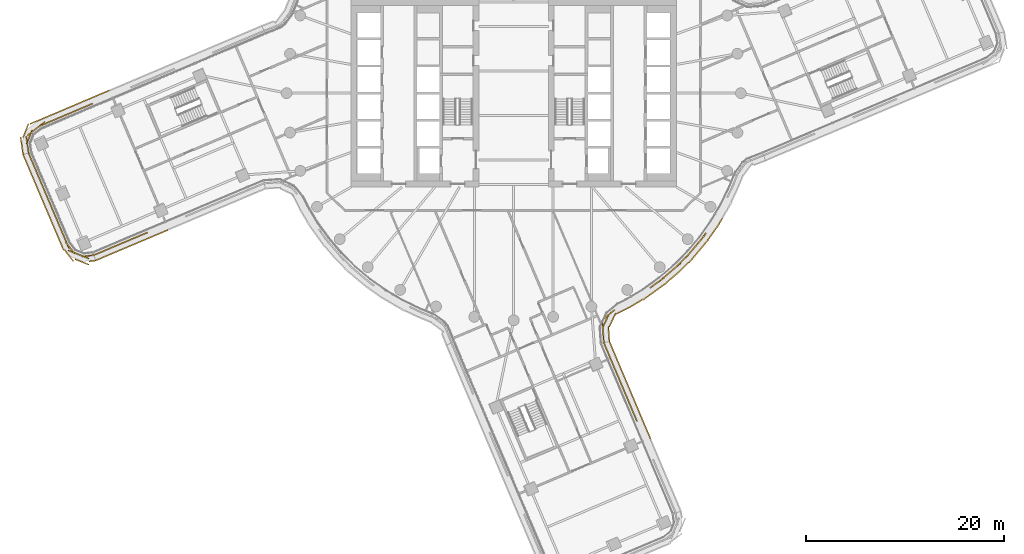
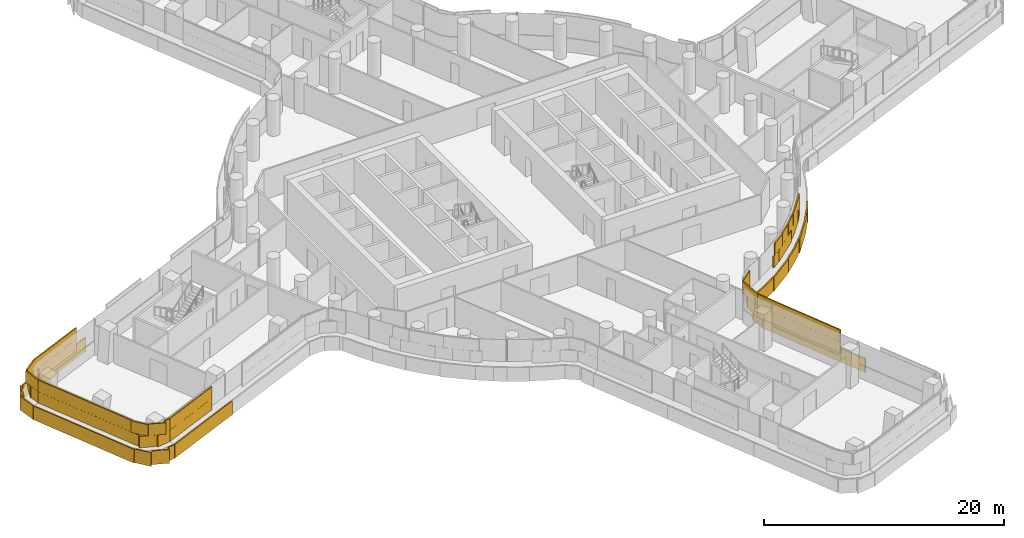
# One storey, part 29 of 35: 5 coverings.
"""IFC4 building model written with IfcOpenShell, lengths in metres."""

from ifc_helpers import new_model, si_unit, direction, frame, origin, origin_2d, place, context, subcontext, project, spatial, rectangle, extrude, material, layer, layer_set, type_object, element, save


model = new_model("IFC4")

# Units and contexts
model_context = context("Model", 3, precision=1e-05, world=origin(), true_north=direction((0.0, 1.0)))
body_context = subcontext(model_context, "Body", "Model", "MODEL_VIEW")
ifc_project = project(units=[si_unit("LENGTHUNIT", "METRE"), si_unit("AREAUNIT", "SQUARE_METRE"), si_unit("VOLUMEUNIT", "CUBIC_METRE"), si_unit("PLANEANGLEUNIT", "RADIAN"), si_unit("MASSUNIT", "GRAM", prefix="KILO")], contexts=[model_context])

# Site, building, storey
site_placement = place(None, origin())
site = spatial("IfcSite", under=ifc_project, at=site_placement, CompositionType="ELEMENT")
building_placement = place(site_placement, origin())
building = spatial("IfcBuilding", under=site, at=building_placement, Name="Tamarind Cross Interchange Tower", CompositionType="ELEMENT")
storey_placement = place(building_placement, frame((0.0, 0.0, 117.25)))
storey = spatial("IfcBuildingStorey", under=building, at=storey_placement, Name="L28", CompositionType="ELEMENT", Elevation=117.25)

# Coverings
ifc_material = material(Name="Terracotta", Category="masonry")
ifc_layer = layer(ifc_material, 0.1201171875)
ifc_layer_set = layer_set([ifc_layer], Name="Terracotta")
covering_type = type_object("IfcCoveringType", Name="Terracotta baguette screen unit", PredefinedType="MOLDING", material=ifc_layer_set)
covering_1_placement = place(storey_placement, origin())
element("IfcCovering", 1, at=covering_1_placement, inside=storey, type_object=covering_type, Name="SCR-L28-00-00", PredefinedType="MOLDING", context=body_context, shape_type="SweptSolid", body=[
    extrude(rectangle(XDim=1.510009765625, YDim=0.1201171875, at=origin_2d()), frame((-48.8369140625, -6.75439453125, 1.404052734375), z_axis=(0.0, 0.0, 1.0), x_axis=(0.390499768049, -0.920603025823, 0.0)), (0.0, 0.0, 1.0), 1.1669921875),
    extrude(rectangle(XDim=1.52001953125, YDim=0.1201171875, at=origin_2d()), frame((-48.251220703125, -8.13525390625, 1.404052734375), z_axis=(0.0, 0.0, 1.0), x_axis=(0.390499768049, -0.920603025823, 0.0)), (0.0, 0.0, 1.0), 1.1669921875),
    extrude(rectangle(XDim=1.52001953125, YDim=0.1201171875, at=origin_2d()), frame((-47.66552734375, -9.51611328125, 1.404052734375), z_axis=(0.0, 0.0, 1.0), x_axis=(0.390499768049, -0.920603025823, 0.0)), (0.0, 0.0, 1.0), 1.1669921875),
    extrude(rectangle(XDim=1.52001953125, YDim=0.1201171875, at=origin_2d()), frame((-47.079833984375, -10.89697265625, 1.404052734375), z_axis=(0.0, 0.0, 1.0), x_axis=(0.390499768049, -0.920603025823, 0.0)), (0.0, 0.0, 1.0), 1.1669921875),
    extrude(rectangle(XDim=1.52001953125, YDim=0.1201171875, at=origin_2d()), frame((-46.494140625, -12.27783203125, 1.404052734375), z_axis=(0.0, 0.0, 1.0), x_axis=(0.390499768049, -0.920603025823, 0.0)), (0.0, 0.0, 1.0), 1.1669921875),
    extrude(rectangle(XDim=1.52001953125, YDim=0.1201171875, at=origin_2d()), frame((-45.908203125, -13.65869140625, 1.404052734375), z_axis=(0.0, 0.0, 1.0), x_axis=(0.390499768049, -0.920603025823, 0.0)), (0.0, 0.0, 1.0), 1.1669921875),
    extrude(rectangle(XDim=1.52001953125, YDim=0.1201171875, at=origin_2d()), frame((-45.322509765625, -15.039794921875, 1.404052734375), z_axis=(0.0, 0.0, 1.0), x_axis=(0.390499768049, -0.920603025823, 0.0)), (0.0, 0.0, 1.0), 1.1669921875),
    extrude(rectangle(XDim=1.52001953125, YDim=0.1201171875, at=origin_2d()), frame((-44.41259765625, -16.194091796875, 1.404052734375), z_axis=(0.0, 0.0, 1.0), x_axis=(0.927089676379, -0.374839608301, 0.0)), (0.0, 0.0, 1.0), 1.1669921875),
    extrude(rectangle(XDim=1.259521484375, YDim=0.1201171875, at=origin_2d()), frame((-43.10986328125, -16.480224609375, 1.404052734375), z_axis=(0.0, 0.0, 1.0), x_axis=(0.990303015481, 0.138924215056, 0.0)), (0.0, 0.0, 1.0), 1.1669921875),
    extrude(rectangle(XDim=0.760009765625, YDim=0.1201171875, at=origin_2d()), frame((-48.9833984375, -6.408935546875, 2.5791015625), z_axis=(0.0, 0.0, 1.0), x_axis=(0.390499768049, -0.920603025823, 0.0)), (0.0, 0.0, 1.0), 1.1669921875),
    extrude(rectangle(XDim=1.52001953125, YDim=0.1201171875, at=origin_2d()), frame((-48.544189453125, -7.44482421875, 2.5791015625), z_axis=(0.0, 0.0, 1.0), x_axis=(0.390499768049, -0.920603025823, 0.0)), (0.0, 0.0, 1.0), 1.1669921875),
    extrude(rectangle(XDim=1.52001953125, YDim=0.1201171875, at=origin_2d()), frame((-47.95849609375, -8.82568359375, 2.5791015625), z_axis=(0.0, 0.0, 1.0), x_axis=(0.390499768049, -0.920603025823, 0.0)), (0.0, 0.0, 1.0), 1.1669921875),
    extrude(rectangle(XDim=1.52001953125, YDim=0.1201171875, at=origin_2d()), frame((-47.37255859375, -10.20654296875, 2.5791015625), z_axis=(0.0, 0.0, 1.0), x_axis=(0.390499768049, -0.920603025823, 0.0)), (0.0, 0.0, 1.0), 1.1669921875),
    extrude(rectangle(XDim=1.52001953125, YDim=0.1201171875, at=origin_2d()), frame((-46.786865234375, -11.58740234375, 2.5791015625), z_axis=(0.0, 0.0, 1.0), x_axis=(0.390499768049, -0.920603025823, 0.0)), (0.0, 0.0, 1.0), 1.1669921875),
    extrude(rectangle(XDim=1.52001953125, YDim=0.1201171875, at=origin_2d()), frame((-46.201171875, -12.96826171875, 2.5791015625), z_axis=(0.0, 0.0, 1.0), x_axis=(0.390499768049, -0.920603025823, 0.0)), (0.0, 0.0, 1.0), 1.1669921875),
    extrude(rectangle(XDim=1.52001953125, YDim=0.1201171875, at=origin_2d()), frame((-45.615478515625, -14.349365234375, 2.5791015625), z_axis=(0.0, 0.0, 1.0), x_axis=(0.390499768049, -0.920603025823, 0.0)), (0.0, 0.0, 1.0), 1.1669921875),
    extrude(rectangle(XDim=1.52001953125, YDim=0.1201171875, at=origin_2d()), frame((-44.922607421875, -15.6669921875, 2.5791015625), z_axis=(0.0, 0.0, 1.0), x_axis=(0.61546340718, -0.788165461323, 0.0)), (0.0, 0.0, 1.0), 1.1669921875),
    extrude(rectangle(XDim=1.52001953125, YDim=0.1201171875, at=origin_2d()), frame((-43.71728515625, -16.475341796875, 2.5791015625), z_axis=(0.0, 0.0, 1.0), x_axis=(0.927089676379, -0.374839608301, 0.0)), (0.0, 0.0, 1.0), 1.1669921875),
    extrude(rectangle(XDim=0.509521484375, YDim=0.1201171875, at=origin_2d()), frame((-42.738525390625, -16.427978515625, 2.5791015625), z_axis=(0.0, 0.0, 1.0), x_axis=(0.990303015481, 0.138924215056, 0.0)), (0.0, 0.0, 1.0), 1.1669921875),
    extrude(rectangle(XDim=1.510009765625, YDim=0.1201171875, at=origin_2d()), frame((-49.39306640625, -6.91357421875, 0.00390625), z_axis=(0.0, 0.0, 1.0), x_axis=(0.390499768049, -0.920603025823, 0.0)), (0.0, 0.0, 1.0), 1.39208984375),
    extrude(rectangle(XDim=1.52001953125, YDim=0.1201171875, at=origin_2d()), frame((-48.809326171875, -8.289794921875, 0.00390625), z_axis=(0.0, 0.0, 1.0), x_axis=(0.390499768049, -0.920603025823, 0.0)), (0.0, 0.0, 1.0), 1.39208984375),
    extrude(rectangle(XDim=1.52001953125, YDim=0.1201171875, at=origin_2d()), frame((-48.223388671875, -9.670654296875, 0.00390625), z_axis=(0.0, 0.0, 1.0), x_axis=(0.390499768049, -0.920603025823, 0.0)), (0.0, 0.0, 1.0), 1.39208984375),
    extrude(rectangle(XDim=1.52001953125, YDim=0.1201171875, at=origin_2d()), frame((-47.6376953125, -11.051513671875, 0.00390625), z_axis=(0.0, 0.0, 1.0), x_axis=(0.390499768049, -0.920603025823, 0.0)), (0.0, 0.0, 1.0), 1.39208984375),
    extrude(rectangle(XDim=1.52001953125, YDim=0.1201171875, at=origin_2d()), frame((-47.052001953125, -12.432373046875, 0.00390625), z_axis=(0.0, 0.0, 1.0), x_axis=(0.390499768049, -0.920603025823, 0.0)), (0.0, 0.0, 1.0), 1.39208984375),
    extrude(rectangle(XDim=1.52001953125, YDim=0.1201171875, at=origin_2d()), frame((-46.46630859375, -13.8134765625, 0.00390625), z_axis=(0.0, 0.0, 1.0), x_axis=(0.390499768049, -0.920603025823, 0.0)), (0.0, 0.0, 1.0), 1.39208984375),
    extrude(rectangle(XDim=1.52001953125, YDim=0.1201171875, at=origin_2d()), frame((-45.88037109375, -15.1943359375, 0.00390625), z_axis=(0.0, 0.0, 1.0), x_axis=(0.390499768049, -0.920603025823, 0.0)), (0.0, 0.0, 1.0), 1.39208984375),
    extrude(rectangle(XDim=1.52001953125, YDim=0.1201171875, at=origin_2d()), frame((-45.052734375, -16.432861328125, 0.00390625), z_axis=(0.0, 0.0, 1.0), x_axis=(0.61546340718, -0.788165461323, 0.0)), (0.0, 0.0, 1.0), 1.39208984375),
    extrude(rectangle(XDim=1.52001953125, YDim=0.1201171875, at=origin_2d()), frame((-43.732421875, -17.088134765625, 0.00390625), z_axis=(0.0, 0.0, 1.0), x_axis=(0.927089676379, -0.374839608301, 0.0)), (0.0, 0.0, 1.0), 1.39208984375),
    extrude(rectangle(XDim=0.676513671875, YDim=0.1201171875, at=origin_2d()), frame((-42.671875, -16.998291015625, 0.00390625), z_axis=(0.0, 0.0, 1.0), x_axis=(0.990303015481, 0.138924215056, 0.0)), (0.0, 0.0, 1.0), 1.39208984375),
])
covering_2_placement = place(storey_placement, origin())
element("IfcCovering", 2, at=covering_2_placement, inside=storey, type_object=covering_type, Name="SCR-L28-01-00", PredefinedType="MOLDING", context=body_context, shape_type="SweptSolid", body=[
    extrude(rectangle(XDim=1.510009765625, YDim=0.1201171875, at=origin_2d()), frame((-41.800048828125, -16.1015625, 1.404052734375), z_axis=(0.0, 0.0, 1.0), x_axis=(0.921263635853, 0.388938701154, 0.0)), (0.0, 0.0, 1.0), 1.1669921875),
    extrude(rectangle(XDim=1.52001953125, YDim=0.1201171875, at=origin_2d()), frame((-40.418212890625, -15.518310546875, 1.404052734375), z_axis=(0.0, 0.0, 1.0), x_axis=(0.921263635853, 0.388938701154, 0.0)), (0.0, 0.0, 1.0), 1.1669921875),
    extrude(rectangle(XDim=1.52001953125, YDim=0.1201171875, at=origin_2d()), frame((-39.036376953125, -14.934814453125, 1.404052734375), z_axis=(0.0, 0.0, 1.0), x_axis=(0.921263635853, 0.388938701154, 0.0)), (0.0, 0.0, 1.0), 1.1669921875),
    extrude(rectangle(XDim=1.362548828125, YDim=0.1201171875, at=origin_2d()), frame((-37.722412109375, -14.380126953125, 1.404052734375), z_axis=(0.0, 0.0, 1.0), x_axis=(0.921263635853, 0.388938701154, 0.0)), (0.0, 0.0, 1.0), 1.1669921875),
    extrude(rectangle(XDim=0.760009765625, YDim=0.1201171875, at=origin_2d()), frame((-42.1455078125, -16.24755859375, 2.5791015625), z_axis=(0.0, 0.0, 1.0), x_axis=(0.921263635853, 0.388938701154, 0.0)), (0.0, 0.0, 1.0), 1.1669921875),
    extrude(rectangle(XDim=1.52001953125, YDim=0.1201171875, at=origin_2d()), frame((-41.109130859375, -15.809814453125, 2.5791015625), z_axis=(0.0, 0.0, 1.0), x_axis=(0.921263635853, 0.388938701154, 0.0)), (0.0, 0.0, 1.0), 1.1669921875),
    extrude(rectangle(XDim=1.52001953125, YDim=0.1201171875, at=origin_2d()), frame((-39.727294921875, -15.2265625, 2.5791015625), z_axis=(0.0, 0.0, 1.0), x_axis=(0.921263635853, 0.388938701154, 0.0)), (0.0, 0.0, 1.0), 1.1669921875),
    extrude(rectangle(XDim=1.52001953125, YDim=0.1201171875, at=origin_2d()), frame((-38.345458984375, -14.64306640625, 2.5791015625), z_axis=(0.0, 0.0, 1.0), x_axis=(0.921263635853, 0.388938701154, 0.0)), (0.0, 0.0, 1.0), 1.1669921875),
    extrude(rectangle(XDim=0.612548828125, YDim=0.1201171875, at=origin_2d()), frame((-37.376953125, -14.234130859375, 2.5791015625), z_axis=(0.0, 0.0, 1.0), x_axis=(0.921263635853, 0.388938701154, 0.0)), (0.0, 0.0, 1.0), 1.1669921875),
    extrude(rectangle(XDim=1.510009765625, YDim=0.1201171875, at=origin_2d()), frame((-41.641357421875, -16.65771484375, 0.00390625), z_axis=(0.0, 0.0, 1.0), x_axis=(0.921263635853, 0.388938701154, 0.0)), (0.0, 0.0, 1.0), 1.39208984375),
    extrude(rectangle(XDim=1.52001953125, YDim=0.1201171875, at=origin_2d()), frame((-40.26416015625, -16.076171875, 0.00390625), z_axis=(0.0, 0.0, 1.0), x_axis=(0.921263635853, 0.388938701154, 0.0)), (0.0, 0.0, 1.0), 1.39208984375),
    extrude(rectangle(XDim=1.52001953125, YDim=0.1201171875, at=origin_2d()), frame((-38.88232421875, -15.492919921875, 0.00390625), z_axis=(0.0, 0.0, 1.0), x_axis=(0.921263635853, 0.388938701154, 0.0)), (0.0, 0.0, 1.0), 1.39208984375),
    extrude(rectangle(XDim=1.52001953125, YDim=0.1201171875, at=origin_2d()), frame((-37.500244140625, -14.909423828125, 0.00390625), z_axis=(0.0, 0.0, 1.0), x_axis=(0.921263635853, 0.388938701154, 0.0)), (0.0, 0.0, 1.0), 1.39208984375),
    extrude(rectangle(XDim=1.52001953125, YDim=0.1201171875, at=origin_2d()), frame((-36.118408203125, -14.325927734375, 0.00390625), z_axis=(0.0, 0.0, 1.0), x_axis=(0.921263635853, 0.388938701154, 0.0)), (0.0, 0.0, 1.0), 1.39208984375),
    extrude(rectangle(XDim=0.453857421875, YDim=0.1201171875, at=origin_2d()), frame((-35.2275390625, -13.949951171875, 0.00390625), z_axis=(0.0, 0.0, 1.0), x_axis=(0.921263635853, 0.388938701154, 0.0)), (0.0, 0.0, 1.0), 1.39208984375),
])
covering_3_placement = place(storey_placement, origin())
element("IfcCovering", 3, at=covering_3_placement, inside=storey, type_object=covering_type, Name="SCR-L28-05-01", PredefinedType="MOLDING", context=body_context, shape_type="SweptSolid", body=[
    extrude(rectangle(XDim=0.45751953125, YDim=0.1201171875, at=origin_2d()), frame((12.396484375, -33.02392578125, 1.404052734375), z_axis=(0.0, 0.0, 1.0), x_axis=(-0.388938701154, 0.921263635853, 0.0)), (0.0, 0.0, 1.0), 1.1669921875),
    extrude(rectangle(XDim=1.52001953125, YDim=0.1201171875, at=origin_2d()), frame((12.017822265625, -32.126953125, 1.404052734375), z_axis=(0.0, 0.0, 1.0), x_axis=(-0.388938701154, 0.921263635853, 0.0)), (0.0, 0.0, 1.0), 1.1669921875),
    extrude(rectangle(XDim=1.52001953125, YDim=0.1201171875, at=origin_2d()), frame((11.434326171875, -30.744873046875, 1.404052734375), z_axis=(0.0, 0.0, 1.0), x_axis=(-0.388938701154, 0.921263635853, 0.0)), (0.0, 0.0, 1.0), 1.1669921875),
    extrude(rectangle(XDim=1.52001953125, YDim=0.1201171875, at=origin_2d()), frame((10.850830078125, -29.363037109375, 1.404052734375), z_axis=(0.0, 0.0, 1.0), x_axis=(-0.388938701154, 0.921263635853, 0.0)), (0.0, 0.0, 1.0), 1.1669921875),
    extrude(rectangle(XDim=1.52001953125, YDim=0.1201171875, at=origin_2d()), frame((10.267578125, -27.981201171875, 1.404052734375), z_axis=(0.0, 0.0, 1.0), x_axis=(-0.388938701154, 0.921263635853, 0.0)), (0.0, 0.0, 1.0), 1.1669921875),
    extrude(rectangle(XDim=1.52001953125, YDim=0.1201171875, at=origin_2d()), frame((9.68408203125, -26.599365234375, 1.404052734375), z_axis=(0.0, 0.0, 1.0), x_axis=(-0.388938701154, 0.921263635853, 0.0)), (0.0, 0.0, 1.0), 1.1669921875),
    extrude(rectangle(XDim=0.69384765625, YDim=0.1201171875, at=origin_2d()), frame((9.259521484375, -25.59326171875, 1.404052734375), z_axis=(0.0, 0.0, 1.0), x_axis=(-0.388938701154, 0.921263635853, 0.0)), (0.0, 0.0, 1.0), 1.1669921875),
    extrude(rectangle(XDim=1.20751953125, YDim=0.1201171875, at=origin_2d()), frame((12.250732421875, -32.678466796875, 2.5791015625), z_axis=(0.0, 0.0, 1.0), x_axis=(-0.388938701154, 0.921263635853, 0.0)), (0.0, 0.0, 1.0), 1.1669921875),
    extrude(rectangle(XDim=1.52001953125, YDim=0.1201171875, at=origin_2d()), frame((11.72607421875, -31.435791015625, 2.5791015625), z_axis=(0.0, 0.0, 1.0), x_axis=(-0.388938701154, 0.921263635853, 0.0)), (0.0, 0.0, 1.0), 1.1669921875),
    extrude(rectangle(XDim=1.52001953125, YDim=0.1201171875, at=origin_2d()), frame((11.142578125, -30.053955078125, 2.5791015625), z_axis=(0.0, 0.0, 1.0), x_axis=(-0.388938701154, 0.921263635853, 0.0)), (0.0, 0.0, 1.0), 1.1669921875),
    extrude(rectangle(XDim=1.52001953125, YDim=0.1201171875, at=origin_2d()), frame((10.559326171875, -28.672119140625, 2.5791015625), z_axis=(0.0, 0.0, 1.0), x_axis=(-0.388938701154, 0.921263635853, 0.0)), (0.0, 0.0, 1.0), 1.1669921875),
    extrude(rectangle(XDim=1.52001953125, YDim=0.1201171875, at=origin_2d()), frame((9.975830078125, -27.290283203125, 2.5791015625), z_axis=(0.0, 0.0, 1.0), x_axis=(-0.388938701154, 0.921263635853, 0.0)), (0.0, 0.0, 1.0), 1.1669921875),
    extrude(rectangle(XDim=1.44384765625, YDim=0.1201171875, at=origin_2d()), frame((9.4052734375, -25.938720703125, 2.5791015625), z_axis=(0.0, 0.0, 1.0), x_axis=(-0.388938701154, 0.921263635853, 0.0)), (0.0, 0.0, 1.0), 1.1669921875),
    extrude(rectangle(XDim=1.06591796875, YDim=0.1201171875, at=origin_2d()), frame((13.654296875, -34.52734375, 0.00390625), z_axis=(0.0, 0.0, 1.0), x_axis=(-0.388938701154, 0.921263635853, 0.0)), (0.0, 0.0, 1.0), 1.39208984375),
    extrude(rectangle(XDim=1.52001953125, YDim=0.1201171875, at=origin_2d()), frame((13.1591796875, -33.354736328125, 0.00390625), z_axis=(0.0, 0.0, 1.0), x_axis=(-0.388938701154, 0.921263635853, 0.0)), (0.0, 0.0, 1.0), 1.39208984375),
    extrude(rectangle(XDim=1.52001953125, YDim=0.1201171875, at=origin_2d()), frame((12.57568359375, -31.97265625, 0.00390625), z_axis=(0.0, 0.0, 1.0), x_axis=(-0.388938701154, 0.921263635853, 0.0)), (0.0, 0.0, 1.0), 1.39208984375),
    extrude(rectangle(XDim=1.52001953125, YDim=0.1201171875, at=origin_2d()), frame((11.992431640625, -30.5908203125, 0.00390625), z_axis=(0.0, 0.0, 1.0), x_axis=(-0.388938701154, 0.921263635853, 0.0)), (0.0, 0.0, 1.0), 1.39208984375),
    extrude(rectangle(XDim=1.52001953125, YDim=0.1201171875, at=origin_2d()), frame((11.408935546875, -29.208984375, 0.00390625), z_axis=(0.0, 0.0, 1.0), x_axis=(-0.388938701154, 0.921263635853, 0.0)), (0.0, 0.0, 1.0), 1.39208984375),
    extrude(rectangle(XDim=1.52001953125, YDim=0.1201171875, at=origin_2d()), frame((10.825439453125, -27.8271484375, 0.00390625), z_axis=(0.0, 0.0, 1.0), x_axis=(-0.388938701154, 0.921263635853, 0.0)), (0.0, 0.0, 1.0), 1.39208984375),
    extrude(rectangle(XDim=1.52001953125, YDim=0.1201171875, at=origin_2d()), frame((10.2421875, -26.445068359375, 0.00390625), z_axis=(0.0, 0.0, 1.0), x_axis=(-0.388938701154, 0.921263635853, 0.0)), (0.0, 0.0, 1.0), 1.39208984375),
    extrude(rectangle(XDim=0.673828125, YDim=0.1201171875, at=origin_2d()), frame((9.8232421875, -25.453125, 0.00390625), z_axis=(0.0, 0.0, 1.0), x_axis=(-0.388938701154, 0.921263635853, 0.0)), (0.0, 0.0, 1.0), 1.39208984375),
])
covering_4_placement = place(storey_placement, origin())
element("IfcCovering", 4, at=covering_4_placement, inside=storey, type_object=covering_type, Name="SCR-L28-06-00", PredefinedType="MOLDING", context=body_context, shape_type="SweptSolid", body=[
    extrude(rectangle(XDim=1.510009765625, YDim=0.1201171875, at=origin_2d()), frame((9.072998046875, -24.5302734375, 1.404052734375), z_axis=(0.0, 0.0, 1.0), x_axis=(-0.071261135101, 0.997457693651, 0.0)), (0.0, 0.0, 1.0), 1.1669921875),
    extrude(rectangle(XDim=1.52001953125, YDim=0.1201171875, at=origin_2d()), frame((9.308349609375, -23.09814453125, 1.404052734375), z_axis=(0.0, 0.0, 1.0), x_axis=(0.426925525948, 0.904286788189, 0.0)), (0.0, 0.0, 1.0), 1.1669921875),
    extrude(rectangle(XDim=0.775390625, YDim=0.1201171875, at=origin_2d()), frame((9.92724609375, -22.179443359375, 1.404052734375), z_axis=(0.0, 0.0, 1.0), x_axis=(0.774762920704, 0.632251861763, 0.0)), (0.0, 0.0, 1.0), 1.1669921875),
    extrude(rectangle(XDim=1.044677734375, YDim=0.1201171875, at=origin_2d()), frame((14.203857421875, -19.427490234375, 1.404052734375), z_axis=(0.0, 0.0, 1.0), x_axis=(0.811340475102, 0.584573890505, 0.0)), (0.0, 0.0, 1.0), 1.1669921875),
    extrude(rectangle(XDim=1.52001953125, YDim=0.1201171875, at=origin_2d()), frame((15.20947265625, -18.658203125, 1.404052734375), z_axis=(0.0, 0.0, 1.0), x_axis=(0.760295606781, 0.64957723968, 0.0)), (0.0, 0.0, 1.0), 1.1669921875),
    extrude(rectangle(XDim=1.52001953125, YDim=0.1201171875, at=origin_2d()), frame((16.35009765625, -17.683837890625, 1.404052734375), z_axis=(0.0, 0.0, 1.0), x_axis=(0.760295606781, 0.64957723968, 0.0)), (0.0, 0.0, 1.0), 1.1669921875),
    extrude(rectangle(XDim=1.52001953125, YDim=0.1201171875, at=origin_2d()), frame((17.408935546875, -16.62158203125, 1.404052734375), z_axis=(0.0, 0.0, 1.0), x_axis=(0.704057148523, 0.710143317658, 0.0)), (0.0, 0.0, 1.0), 1.1669921875),
    extrude(rectangle(XDim=1.52001953125, YDim=0.1201171875, at=origin_2d()), frame((18.406494140625, -15.503173828125, 1.404052734375), z_axis=(0.0, 0.0, 1.0), x_axis=(0.643009266048, 0.765858396687, 0.0)), (0.0, 0.0, 1.0), 1.1669921875),
    extrude(rectangle(XDim=0.99560546875, YDim=0.1201171875, at=origin_2d()), frame((19.19189453125, -14.540771484375, 1.404052734375), z_axis=(0.0, 0.0, 1.0), x_axis=(0.577568978284, 0.816341886298, 0.0)), (0.0, 0.0, 1.0), 1.1669921875),
    extrude(rectangle(XDim=0.760009765625, YDim=0.1201171875, at=origin_2d()), frame((9.099609375, -24.904296875, 2.5791015625), z_axis=(0.0, 0.0, 1.0), x_axis=(-0.071261135101, 0.997457693651, 0.0)), (0.0, 0.0, 1.0), 1.1669921875),
    extrude(rectangle(XDim=1.52001953125, YDim=0.1201171875, at=origin_2d()), frame((9.01953125, -23.7822265625, 2.5791015625), z_axis=(0.0, 0.0, 1.0), x_axis=(-0.071261135101, 0.997457693651, 0.0)), (0.0, 0.0, 1.0), 1.1669921875),
    extrude(rectangle(XDim=1.52001953125, YDim=0.1201171875, at=origin_2d()), frame((9.630615234375, -22.421630859375, 2.5791015625), z_axis=(0.0, 0.0, 1.0), x_axis=(0.774762920704, 0.632251861763, 0.0)), (0.0, 0.0, 1.0), 1.1669921875),
    extrude(rectangle(XDim=1.52001953125, YDim=0.1201171875, at=origin_2d()), frame((14.62353515625, -19.125, 2.5791015625), z_axis=(0.0, 0.0, 1.0), x_axis=(0.811340475102, 0.584573890505, 0.0)), (0.0, 0.0, 1.0), 1.1669921875),
    extrude(rectangle(XDim=1.52001953125, YDim=0.1201171875, at=origin_2d()), frame((15.77978515625, -18.1708984375, 2.5791015625), z_axis=(0.0, 0.0, 1.0), x_axis=(0.760295606781, 0.64957723968, 0.0)), (0.0, 0.0, 1.0), 1.1669921875),
    extrude(rectangle(XDim=1.52001953125, YDim=0.1201171875, at=origin_2d()), frame((16.880859375, -17.154296875, 2.5791015625), z_axis=(0.0, 0.0, 1.0), x_axis=(0.704057148523, 0.710143317658, 0.0)), (0.0, 0.0, 1.0), 1.1669921875),
    extrude(rectangle(XDim=1.52001953125, YDim=0.1201171875, at=origin_2d()), frame((17.92431640625, -16.077392578125, 2.5791015625), z_axis=(0.0, 0.0, 1.0), x_axis=(0.643009266048, 0.765858396687, 0.0)), (0.0, 0.0, 1.0), 1.1669921875),
    extrude(rectangle(XDim=1.52001953125, YDim=0.1201171875, at=origin_2d()), frame((18.888916015625, -14.9287109375, 2.5791015625), z_axis=(0.0, 0.0, 1.0), x_axis=(0.643009266048, 0.765858396687, 0.0)), (0.0, 0.0, 1.0), 1.1669921875),
    extrude(rectangle(XDim=1.510009765625, YDim=0.1201171875, at=origin_2d()), frame((9.638427734375, -24.3896484375, 0.00390625), z_axis=(0.0, 0.0, 1.0), x_axis=(-0.071261135101, 0.997457693651, 0.0)), (0.0, 0.0, 1.0), 1.39208984375),
    extrude(rectangle(XDim=1.52001953125, YDim=0.1201171875, at=origin_2d()), frame((9.996337890625, -22.985107421875, 0.00390625), z_axis=(0.0, 0.0, 1.0), x_axis=(0.426925525948, 0.904286788189, 0.0)), (0.0, 0.0, 1.0), 1.39208984375),
    extrude(rectangle(XDim=1.52001953125, YDim=0.1201171875, at=origin_2d()), frame((11.098876953125, -22.002685546875, 0.00390625), z_axis=(0.0, 0.0, 1.0), x_axis=(0.894620288048, 0.446827192786, 0.0)), (0.0, 0.0, 1.0), 1.39208984375),
    extrude(rectangle(XDim=1.52001953125, YDim=0.1201171875, at=origin_2d()), frame((12.4150390625, -21.28564453125, 0.00390625), z_axis=(0.0, 0.0, 1.0), x_axis=(0.856843065292, 0.515577308909, 0.0)), (0.0, 0.0, 1.0), 1.39208984375),
    extrude(rectangle(XDim=1.52001953125, YDim=0.1201171875, at=origin_2d()), frame((13.69384765625, -20.50244140625, 0.00390625), z_axis=(0.0, 0.0, 1.0), x_axis=(0.811340475102, 0.584573890505, 0.0)), (0.0, 0.0, 1.0), 1.39208984375),
    extrude(rectangle(XDim=1.52001953125, YDim=0.1201171875, at=origin_2d()), frame((14.910888671875, -19.62548828125, 0.00390625), z_axis=(0.0, 0.0, 1.0), x_axis=(0.811340475102, 0.584573890505, 0.0)), (0.0, 0.0, 1.0), 1.39208984375),
    extrude(rectangle(XDim=1.52001953125, YDim=0.1201171875, at=origin_2d()), frame((16.0712890625, -18.6767578125, 0.00390625), z_axis=(0.0, 0.0, 1.0), x_axis=(0.760295606781, 0.64957723968, 0.0)), (0.0, 0.0, 1.0), 1.39208984375),
    extrude(rectangle(XDim=1.52001953125, YDim=0.1201171875, at=origin_2d()), frame((17.179931640625, -17.66796875, 0.00390625), z_axis=(0.0, 0.0, 1.0), x_axis=(0.704057148523, 0.710143317658, 0.0)), (0.0, 0.0, 1.0), 1.39208984375),
    extrude(rectangle(XDim=1.52001953125, YDim=0.1201171875, at=origin_2d()), frame((18.234130859375, -16.60107421875, 0.00390625), z_axis=(0.0, 0.0, 1.0), x_axis=(0.643009266048, 0.765858396687, 0.0)), (0.0, 0.0, 1.0), 1.39208984375),
    extrude(rectangle(XDim=1.52001953125, YDim=0.1201171875, at=origin_2d()), frame((19.19873046875, -15.452392578125, 0.00390625), z_axis=(0.0, 0.0, 1.0), x_axis=(0.643009266048, 0.765858396687, 0.0)), (0.0, 0.0, 1.0), 1.39208984375),
    extrude(rectangle(XDim=1.52001953125, YDim=0.1201171875, at=origin_2d()), frame((20.098388671875, -14.25341796875, 0.00390625), z_axis=(0.0, 0.0, 1.0), x_axis=(0.577568978284, 0.816341886298, 0.0)), (0.0, 0.0, 1.0), 1.39208984375),
    extrude(rectangle(XDim=1.137939453125, YDim=0.1201171875, at=origin_2d()), frame((20.836181640625, -13.173095703125, 0.00390625), z_axis=(0.0, 0.0, 1.0), x_axis=(0.508183308752, 0.861248933065, 0.0)), (0.0, 0.0, 1.0), 1.39208984375),
])
covering_5_placement = place(storey_placement, origin())
element("IfcCovering", 5, at=covering_5_placement, inside=storey, type_object=covering_type, Name="SCR-L28-15-02", PredefinedType="MOLDING", context=body_context, shape_type="SweptSolid", body=[
    extrude(rectangle(XDim=0.67236328125, YDim=0.1201171875, at=origin_2d()), frame((-42.940185546875, -1.180908203125, 1.404052734375), z_axis=(0.0, 0.0, 1.0), x_axis=(-0.920603025823, -0.390499768049, 0.0)), (0.0, 0.0, 1.0), 1.1669921875),
    extrude(rectangle(XDim=1.52001953125, YDim=0.1201171875, at=origin_2d()), frame((-43.935546875, -1.60302734375, 1.404052734375), z_axis=(0.0, 0.0, 1.0), x_axis=(-0.920603025823, -0.390499768049, 0.0)), (0.0, 0.0, 1.0), 1.1669921875),
    extrude(rectangle(XDim=1.52001953125, YDim=0.1201171875, at=origin_2d()), frame((-45.31640625, -2.18896484375, 1.404052734375), z_axis=(0.0, 0.0, 1.0), x_axis=(-0.920603025823, -0.390499768049, 0.0)), (0.0, 0.0, 1.0), 1.1669921875),
    extrude(rectangle(XDim=1.52001953125, YDim=0.1201171875, at=origin_2d()), frame((-46.697509765625, -2.774658203125, 1.404052734375), z_axis=(0.0, 0.0, 1.0), x_axis=(-0.920603025823, -0.390499768049, 0.0)), (0.0, 0.0, 1.0), 1.1669921875),
    extrude(rectangle(XDim=1.52001953125, YDim=0.1201171875, at=origin_2d()), frame((-48.071044921875, -3.37255859375, 1.404052734375), z_axis=(0.0, 0.0, 1.0), x_axis=(-0.788165461323, -0.61546340718, 0.0)), (0.0, 0.0, 1.0), 1.1669921875),
    extrude(rectangle(XDim=1.52001953125, YDim=0.1201171875, at=origin_2d()), frame((-49.0537109375, -4.4462890625, 1.404052734375), z_axis=(0.0, 0.0, 1.0), x_axis=(-0.374839608301, -0.927089676379, 0.0)), (0.0, 0.0, 1.0), 1.1669921875),
    extrude(rectangle(XDim=0.931640625, YDim=0.1201171875, at=origin_2d()), frame((-49.19384765625, -5.607421875, 1.404052734375), z_axis=(0.0, 0.0, 1.0), x_axis=(0.138924215056, -0.990303015481, 0.0)), (0.0, 0.0, 1.0), 1.1669921875),
    extrude(rectangle(XDim=1.42236328125, YDim=0.1201171875, at=origin_2d()), frame((-43.285400390625, -1.327392578125, 2.5791015625), z_axis=(0.0, 0.0, 1.0), x_axis=(-0.920603025823, -0.390499768049, 0.0)), (0.0, 0.0, 1.0), 1.1669921875),
    extrude(rectangle(XDim=1.52001953125, YDim=0.1201171875, at=origin_2d()), frame((-44.6259765625, -1.89599609375, 2.5791015625), z_axis=(0.0, 0.0, 1.0), x_axis=(-0.920603025823, -0.390499768049, 0.0)), (0.0, 0.0, 1.0), 1.1669921875),
    extrude(rectangle(XDim=1.52001953125, YDim=0.1201171875, at=origin_2d()), frame((-46.007080078125, -2.481689453125, 2.5791015625), z_axis=(0.0, 0.0, 1.0), x_axis=(-0.920603025823, -0.390499768049, 0.0)), (0.0, 0.0, 1.0), 1.1669921875),
    extrude(rectangle(XDim=1.52001953125, YDim=0.1201171875, at=origin_2d()), frame((-47.387939453125, -3.067626953125, 2.5791015625), z_axis=(0.0, 0.0, 1.0), x_axis=(-0.920603025823, -0.390499768049, 0.0)), (0.0, 0.0, 1.0), 1.1669921875),
    extrude(rectangle(XDim=1.52001953125, YDim=0.1201171875, at=origin_2d()), frame((-48.662353515625, -3.834228515625, 2.5791015625), z_axis=(0.0, 0.0, 1.0), x_axis=(-0.788165461323, -0.61546340718, 0.0)), (0.0, 0.0, 1.0), 1.1669921875),
    extrude(rectangle(XDim=1.52001953125, YDim=0.1201171875, at=origin_2d()), frame((-49.258056640625, -5.151123046875, 2.5791015625), z_axis=(0.0, 0.0, 1.0), x_axis=(0.138924215056, -0.990303015481, 0.0)), (0.0, 0.0, 1.0), 1.1669921875),
    extrude(rectangle(XDim=0.181640625, YDim=0.1201171875, at=origin_2d()), frame((-49.141845703125, -5.978759765625, 2.5791015625), z_axis=(0.0, 0.0, 1.0), x_axis=(0.138924215056, -0.990303015481, 0.0)), (0.0, 0.0, 1.0), 1.1669921875),
    extrude(rectangle(XDim=1.21630859375, YDim=0.1201171875, at=origin_2d()), frame((-41.531005859375, 0.040283203125, 0.00390625), z_axis=(0.0, 0.0, 1.0), x_axis=(-0.920603025823, -0.390499768049, 0.0)), (0.0, 0.0, 1.0), 1.39208984375),
    extrude(rectangle(XDim=1.52001953125, YDim=0.1201171875, at=origin_2d()), frame((-42.772216796875, -0.486083984375, 0.00390625), z_axis=(0.0, 0.0, 1.0), x_axis=(-0.920603025823, -0.390499768049, 0.0)), (0.0, 0.0, 1.0), 1.39208984375),
    extrude(rectangle(XDim=1.52001953125, YDim=0.1201171875, at=origin_2d()), frame((-44.153076171875, -1.07177734375, 0.00390625), z_axis=(0.0, 0.0, 1.0), x_axis=(-0.920603025823, -0.390499768049, 0.0)), (0.0, 0.0, 1.0), 1.39208984375),
    extrude(rectangle(XDim=1.52001953125, YDim=0.1201171875, at=origin_2d()), frame((-45.533935546875, -1.65771484375, 0.00390625), z_axis=(0.0, 0.0, 1.0), x_axis=(-0.920603025823, -0.390499768049, 0.0)), (0.0, 0.0, 1.0), 1.39208984375),
    extrude(rectangle(XDim=1.52001953125, YDim=0.1201171875, at=origin_2d()), frame((-46.914794921875, -2.243408203125, 0.00390625), z_axis=(0.0, 0.0, 1.0), x_axis=(-0.920603025823, -0.390499768049, 0.0)), (0.0, 0.0, 1.0), 1.39208984375),
    extrude(rectangle(XDim=1.52001953125, YDim=0.1201171875, at=origin_2d()), frame((-48.295654296875, -2.8291015625, 0.00390625), z_axis=(0.0, 0.0, 1.0), x_axis=(-0.920603025823, -0.390499768049, 0.0)), (0.0, 0.0, 1.0), 1.39208984375),
    extrude(rectangle(XDim=1.52001953125, YDim=0.1201171875, at=origin_2d()), frame((-49.4111328125, -3.799072265625, 0.00390625), z_axis=(0.0, 0.0, 1.0), x_axis=(-0.374839608301, -0.927089676379, 0.0)), (0.0, 0.0, 1.0), 1.39208984375),
    extrude(rectangle(XDim=1.52001953125, YDim=0.1201171875, at=origin_2d()), frame((-49.82958984375, -5.20751953125, 0.00390625), z_axis=(0.0, 0.0, 1.0), x_axis=(0.138924215056, -0.990303015481, 0.0)), (0.0, 0.0, 1.0), 1.39208984375),
    extrude(rectangle(XDim=0.28076171875, YDim=0.1201171875, at=origin_2d()), frame((-49.707275390625, -6.079345703125, 0.00390625), z_axis=(0.0, 0.0, 1.0), x_axis=(0.138924215056, -0.990303015481, 0.0)), (0.0, 0.0, 1.0), 1.39208984375),
])

save(model, "model.ifc")
